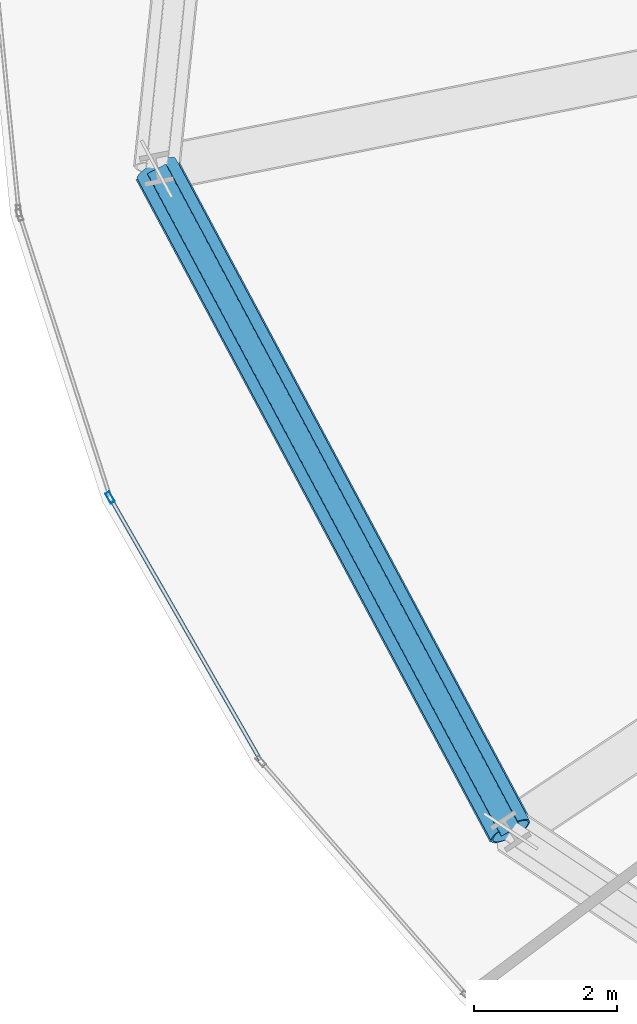
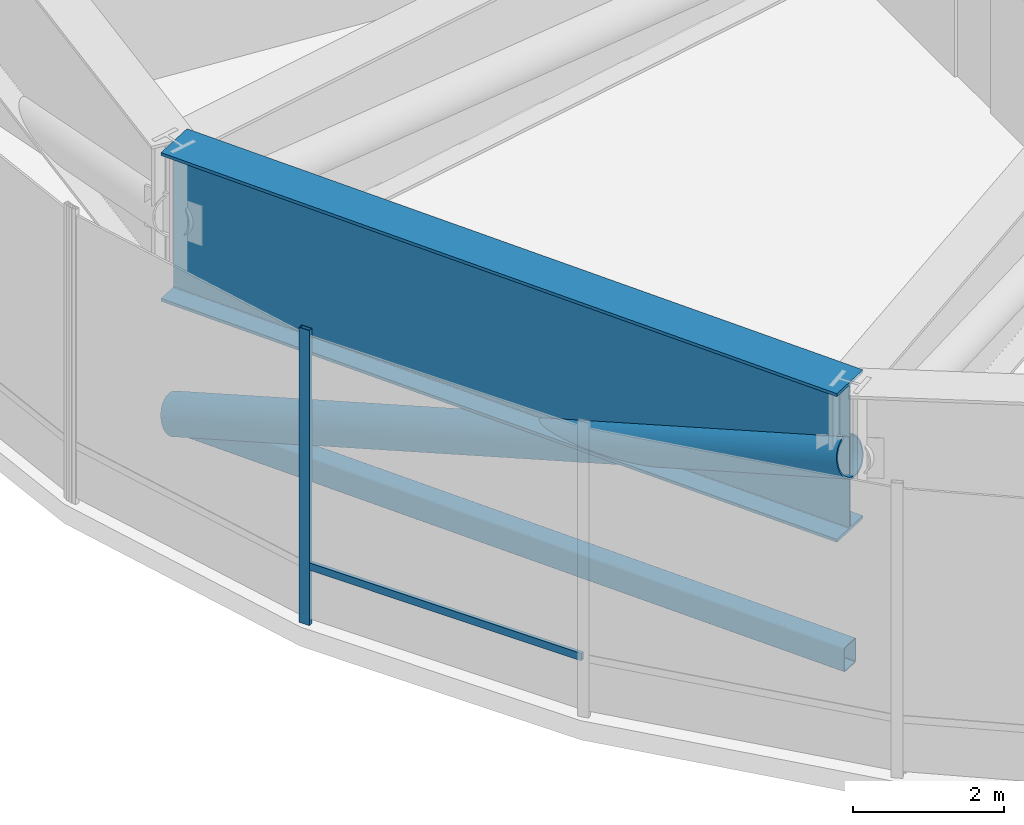
# One storey, part 3 of 33: 4 members, 1 beam, 1 element without a shape of its own.
"""IFC4 building model written with IfcOpenShell, lengths in metres."""

from ifc_helpers import new_model, si_unit, direction, frame, origin, origin_2d, place, context, subcontext, project, spatial, hollow_rectangle, hollow_circle, i_section, extrude, source, transform, mapped, material, layer, layer_set, material_profile, profile_set, type_object, element, aggregate, save


model = new_model("IFC4")

# Units and contexts
model_context = context("Model", 3, precision=1e-05, world=origin(), true_north=direction((0.0, 1.0)))
body_context = subcontext(model_context, "Body", "Model", "MODEL_VIEW")
ifc_project = project(units=[si_unit("LENGTHUNIT", "METRE"), si_unit("AREAUNIT", "SQUARE_METRE"), si_unit("VOLUMEUNIT", "CUBIC_METRE"), si_unit("PLANEANGLEUNIT", "RADIAN"), si_unit("MASSUNIT", "GRAM", prefix="KILO"), si_unit("THERMODYNAMICTEMPERATUREUNIT", "KELVIN")], contexts=[model_context])

# Site, building, storey
site_placement = place(None, origin())
site = spatial("IfcSite", under=ifc_project, at=site_placement, CompositionType="ELEMENT")
building_placement = place(site_placement, origin())
building = spatial("IfcBuilding", under=site, at=building_placement, Name="Kethvar Cultural Tower", CompositionType="ELEMENT")
storey_placement = place(building_placement, frame((0.0, 0.0, 80.39990234375)))
storey = spatial("IfcBuildingStorey", under=building, at=storey_placement, Name="L19", CompositionType="ELEMENT", Elevation=80.39990234375)

# Beam
ifc_material_1 = material(Name="Steel S460M", Category="steel")
ifc_material_profile_1 = material_profile(ifc_material_1, i_section(OverallWidth=0.64990234375, OverallDepth=2.39990234375, WebThickness=0.030029296875, FlangeThickness=0.048095703125, FilletRadius=0.02197265625, at=origin_2d()), Name="Steel S460M — PG2400x650x48x30")
ifc_profile_set_1 = profile_set([ifc_material_profile_1], Name="Steel S460M — PG2400x650x48x30")
beam_type = type_object("IfcBeamType", Name="BM-TR2400", PredefinedType="BEAM", material=ifc_profile_set_1)
shared_shape_1 = source(origin(), body_context, "Body", "SweptSolid", [
    extrude(i_section(OverallWidth=0.64990234375, OverallDepth=2.39990234375, WebThickness=0.030029296875, FlangeThickness=0.048095703125, FilletRadius=0.02197265625, at=origin_2d()), origin(), (0.0, 0.0, 1.0), 10.52099609375),
])
beam_placement = place(storey_placement, frame((19.9658203125, 22.46240234375, 3.55810546875), z_axis=(0.471339616984, -0.881951793162, 0.0), x_axis=(0.881951793162, 0.471339616984, 0.0)))
element("IfcBeam", 1, at=beam_placement, inside=storey, type_object=beam_type, Name="L19 Ring Belt Girder BG-09", PredefinedType="BEAM", context=body_context, shape_type="MappedRepresentation", body=[
    mapped(shared_shape_1, transform((0.0, 0.0, 0.0), scale=1.0)),
])

# Members
ifc_material_profile_2 = material_profile(ifc_material_1, hollow_rectangle(XDim=0.300048828125, YDim=0.39990234375, WallThickness=0.01611328125, InnerFilletRadius=0.01611328125, OuterFilletRadius=0.031982421875, at=origin_2d()), Name="Steel S460M — RHS400x300x16")
ifc_profile_set_2 = profile_set([ifc_material_profile_2], Name="Steel S460M — RHS400x300x16")
member_type_1 = type_object("IfcMemberType", Name="MB-CHD-400", PredefinedType="CHORD", material=ifc_profile_set_2)
shared_shape_2 = source(origin(), body_context, "Body", "SweptSolid", [
    extrude(hollow_rectangle(XDim=0.300048828125, YDim=0.39990234375, WallThickness=0.01611328125, InnerFilletRadius=0.01611328125, OuterFilletRadius=0.031982421875, at=origin_2d()), origin(), (0.0, 0.0, 1.0), 10.52099609375),
])
member_1_placement = place(storey_placement, frame((19.9658203125, 22.46240234375, 0.35009765625), z_axis=(0.471339616984, -0.881951793162, 0.0), x_axis=(0.881951793162, 0.471339616984, 0.0)))
element("IfcMember", 2, at=member_1_placement, inside=storey, type_object=member_type_1, Name="L19 Ring Belt Bottom Chord BC-09", PredefinedType="CHORD", context=body_context, shape_type="MappedRepresentation", body=[
    mapped(shared_shape_2, transform((0.0, 0.0, 0.0), scale=1.0)),
])
ifc_material_profile_3 = material_profile(ifc_material_1, hollow_circle(Radius=0.304931640625, WallThickness=0.02490234375, at=origin_2d()), Name="Steel S460M — CHS610x25")
ifc_profile_set_3 = profile_set([ifc_material_profile_3], Name="Steel S460M — CHS610x25")
member_type_2 = type_object("IfcMemberType", Name="MB-OUT-610", PredefinedType="BRACE", material=ifc_profile_set_3)
shared_shape_3 = source(origin(), body_context, "Body", "SweptSolid", [
    extrude(hollow_circle(Radius=0.304931640625, WallThickness=0.02490234375, at=origin_2d()), origin(), (0.0, 0.0, 1.0), 10.999267578125),
])
member_2_placement = place(storey_placement, frame((19.9658203125, 22.46240234375, 0.35009765625), z_axis=(0.450847204258, -0.843607212103, 0.291656767623), x_axis=(0.881951793162, 0.471339616984, 0.0)))
element("IfcMember", 3, at=member_2_placement, inside=storey, type_object=member_type_2, Name="L19 Ring Belt Diagonal BD-09", PredefinedType="BRACE", context=body_context, shape_type="MappedRepresentation", body=[
    mapped(shared_shape_3, transform((0.0, 0.0, 0.0), scale=1.0)),
])

# Curtain wall, members
ifc_material_2 = material(Name="Aluminium 6063-T6", Category="aluminium")
ifc_layer = layer(ifc_material_2, 0.179931640625, Name="Aluminium 6063-T6", Category="aluminium")
ifc_layer_set = layer_set([ifc_layer], Name="Aluminium 6063-T6 (180 mm)")
curtain_wall_type = type_object("IfcCurtainWallType", Name="CW-SYS-02-Z1", PredefinedType="NOTDEFINED", material=ifc_layer_set)
curtain_wall_placement = place(storey_placement, origin())
curtain_wall = element("IfcCurtainWall", 4, at=curtain_wall_placement, inside=storey, type_object=curtain_wall_type, Name="L19 Curtain Wall Run 04", PredefinedType="NOTDEFINED")
ifc_material_profile_4 = material_profile(ifc_material_2, hollow_rectangle(XDim=0.06494140625, YDim=0.159912109375, WallThickness=0.0048828125, at=origin_2d()), Name="Aluminium 6063-T6 — RHS160x65x5")
ifc_profile_set_4 = profile_set([ifc_material_profile_4], Name="Aluminium 6063-T6 — RHS160x65x5")
member_type_3 = type_object("IfcMemberType", Name="CW-SYS-02-Z1-MUL", PredefinedType="MULLION", material=ifc_profile_set_4)
shared_shape_4 = source(origin(), body_context, "Body", "SweptSolid", [
    extrude(hollow_rectangle(XDim=0.06494140625, YDim=0.159912109375, WallThickness=0.0048828125, at=origin_2d()), origin(), (0.0, 0.0, 1.0), 4.760009765625),
])
member_3_placement = place(storey_placement, frame((19.313232421875, 17.858154296875, 0.0), z_axis=(0.0, 0.0, 1.0), x_axis=(0.867765453369, 0.496973961028, 0.0)))
member_3 = element("IfcMember", 5, at=member_3_placement, type_object=member_type_3, Name="CW-L19-R04 Mullion 2", PredefinedType="MULLION", context=body_context, shape_type="MappedRepresentation", body=[
    mapped(shared_shape_4, transform((0.0, 0.0, 0.0), scale=1.0)),
])
ifc_material_profile_5 = material_profile(ifc_material_2, hollow_rectangle(XDim=0.054931640625, YDim=0.1201171875, WallThickness=0.00390625, at=origin_2d()), Name="Aluminium 6063-T6 — RHS120x55x4")
ifc_profile_set_5 = profile_set([ifc_material_profile_5], Name="Aluminium 6063-T6 — RHS120x55x4")
member_type_4 = type_object("IfcMemberType", Name="CW-SYS-02-Z1-TRN", PredefinedType="USERDEFINED", material=ifc_profile_set_5)
shared_shape_5 = source(origin(), body_context, "Body", "SweptSolid", [
    extrude(hollow_rectangle(XDim=0.054931640625, YDim=0.1201171875, WallThickness=0.00390625, at=origin_2d()), origin(), (0.0, 0.0, 1.0), 4.189453125),
])
member_4_placement = place(storey_placement, frame((19.33642578125, 17.817626953125, 0.9501953125), z_axis=(0.496967110589, -0.867769376616, 0.0), x_axis=(0.867769376616, 0.496967110589, 0.0)))
member_4 = element("IfcMember", 6, at=member_4_placement, type_object=member_type_4, Name="CW-L19-R04 Transom 2", ObjectType="TRANSOM", PredefinedType="USERDEFINED", context=body_context, shape_type="MappedRepresentation", body=[
    mapped(shared_shape_5, transform((0.0, 0.0, 0.0), scale=1.0)),
])
aggregate(curtain_wall, [member_3, member_4])

save(model, "model.ifc")
